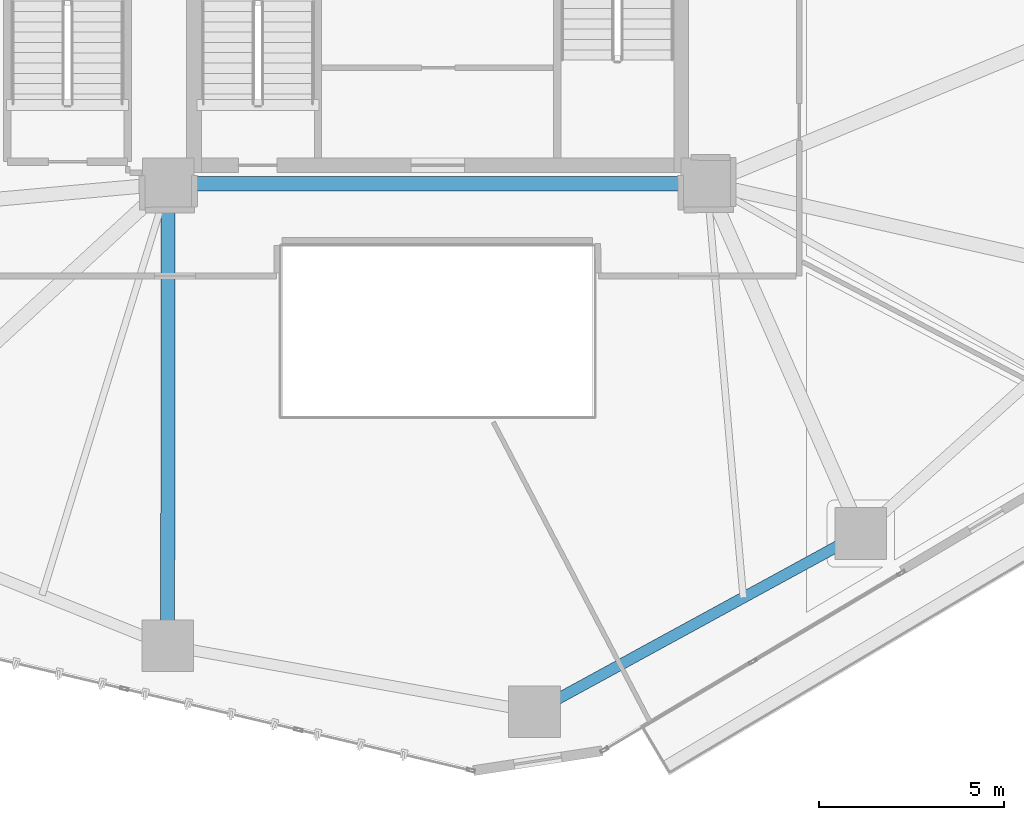
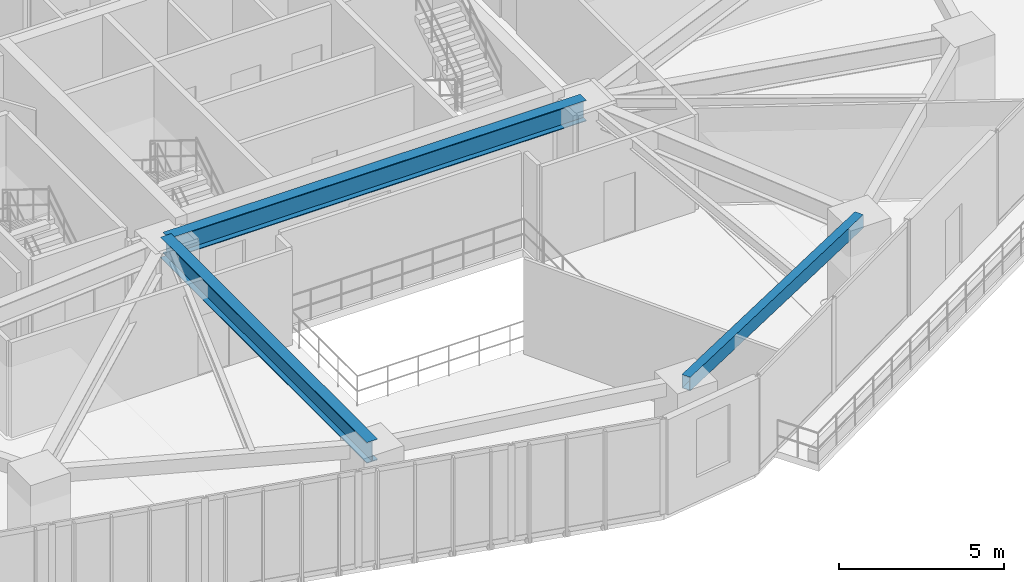
# One storey, part 5 of 23: 3 beams.
"""IFC4 building model written with IfcOpenShell, lengths in metres."""

import ifcopenshell
import ifcopenshell.guid

model = None  # the IFC model being written
_history = None  # IfcOwnerHistory: only IFC2X3 demands one
_inside = {}  # id of a spatial element -> (the spatial element, [elements in it])
_under = {}  # id of a project, library or spatial element -> (it, [spatial elements below it])
_declared = {}  # id of a project -> (the project, [libraries it declares])
_typed = {}  # id of a type object -> (the type object, [elements of that type])
_made_of = {}  # id of a material, layer set ... -> (it, [elements and type objects made of it])


def new_model(schema):
    """Start an empty IFC model of exactly this schema.

    Asked for "IFC4X3", IfcOpenShell would pick the latest addendum, in which some entities
    have other attributes; the version numbers below select the first issue.
    IFC2X3 requires an IfcOwnerHistory on every rooted entity: one is made here for all.
    """
    global model, _history
    if schema == "IFC4X3":
        model = ifcopenshell.file(schema_version=(4, 3, 0, 0))
    else:
        model = ifcopenshell.file(schema=schema)
    _inside.clear()
    _under.clear()
    _declared.clear()
    _typed.clear()
    _made_of.clear()
    _history = None
    if model.schema == "IFC2X3":
        org = make("IfcOrganization", Name="unknown")
        user = make(
            "IfcPersonAndOrganization",
            ThePerson=make("IfcPerson", FamilyName="unknown"),
            TheOrganization=org,
        )
        app = make(
            "IfcApplication",
            ApplicationDeveloper=org,
            Version="unknown",
            ApplicationFullName="unknown",
            ApplicationIdentifier="unknown",
        )
        _history = make(
            "IfcOwnerHistory",
            OwningUser=user,
            OwningApplication=app,
            ChangeAction="ADDED",
            CreationDate=0,
        )
    return model


def make(cls, **values):
    """One entity of the class cls with the attributes given. An attribute that is None is left unset."""
    return model.create_entity(
        cls, **{name: value for name, value in values.items() if value is not None}
    )


def rooted(cls, **values):
    """An entity with a GlobalId (a new one), such as an element, a storey or a relation."""
    return make(cls, GlobalId=ifcopenshell.guid.new(), OwnerHistory=_history, **values)


def si_unit(unit_type, name, prefix=None):
    """IfcSIUnit, for example si_unit("LENGTHUNIT", "METRE", prefix="MILLI")."""
    return make("IfcSIUnit", UnitType=unit_type, Prefix=prefix, Name=name)


def assignment(units):
    """IfcUnitAssignment: the units of a project."""
    return None if units is None else make("IfcUnitAssignment", Units=units)


def point(xyz):
    """IfcCartesianPoint."""
    return None if xyz is None else make("IfcCartesianPoint", Coordinates=xyz)


def direction(xyz):
    """IfcDirection."""
    return None if xyz is None else make("IfcDirection", DirectionRatios=xyz)


def frame(location, z_axis=None, x_axis=None):
    """IfcAxis2Placement3D, a coordinate frame: its origin and axes. An axis left out is left unset."""
    return make(
        "IfcAxis2Placement3D",
        Location=point(location),
        Axis=direction(z_axis),
        RefDirection=direction(x_axis),
    )


def frame_2d(location, x_axis=None):
    """IfcAxis2Placement2D, a coordinate frame in the plane: its origin and x axis."""
    return make(
        "IfcAxis2Placement2D", Location=point(location), RefDirection=direction(x_axis)
    )


def origin():
    """The frame at (0, 0, 0) with its axes left unset."""
    return frame((0.0, 0.0, 0.0))


def origin_2d():
    """The frame at (0, 0) in the plane with its x axis left unset."""
    return frame_2d((0.0, 0.0))


def place(relative_to, where):
    """IfcLocalPlacement: puts the frame where relative to a parent placement (None: the world)."""
    return make(
        "IfcLocalPlacement", PlacementRelTo=relative_to, RelativePlacement=where
    )


def context(
    kind, dimensions, precision=None, world=None, true_north=None, identifier=None
):
    """IfcGeometricRepresentationContext, for example the 3D "Model" context."""
    return make(
        "IfcGeometricRepresentationContext",
        ContextIdentifier=identifier,
        ContextType=kind,
        CoordinateSpaceDimension=dimensions,
        Precision=precision,
        WorldCoordinateSystem=world,
        TrueNorth=true_north,
    )


def subcontext(parent, identifier, kind, view, scale=None):
    """IfcGeometricRepresentationSubContext, for example "Body" below "Model"."""
    return make(
        "IfcGeometricRepresentationSubContext",
        ContextIdentifier=identifier,
        ContextType=kind,
        ParentContext=parent,
        TargetScale=scale,
        TargetView=view,
    )


def project(units=None, contexts=None):
    """IfcProject with its units and contexts."""
    return rooted(
        "IfcProject",
        Name="project",
        RepresentationContexts=contexts,
        UnitsInContext=assignment(units),
    )


def spatial(cls, under=None, at=None, **own):
    """A site, building, storey or space (cls), placed at a placement, below another one or the project."""
    s = rooted(cls, ObjectPlacement=at, **own)
    if under is not None:
        _under.setdefault(under.id(), (under, []))[1].append(s)
    return s


def profile(cls, at=None, kind="AREA", **sizes):
    """A parametric profile (cls). Its sizes go by their IFC names, for example OverallWidth=200.0."""
    return make(cls, ProfileType=kind, Position=at, **sizes)


def hollow_rectangle(**sizes):
    """IfcRectangleHollowProfileDef."""
    return profile("IfcRectangleHollowProfileDef", **sizes)


def i_section(**sizes):
    """IfcIShapeProfileDef."""
    return profile("IfcIShapeProfileDef", **sizes)


def extrude(swept, where, along, depth):
    """IfcExtrudedAreaSolid: the profile swept, set in the frame where, extruded along a direction by depth."""
    return make(
        "IfcExtrudedAreaSolid",
        SweptArea=swept,
        Position=where,
        ExtrudedDirection=direction(along),
        Depth=depth,
    )


def shape(context_of_items, identifier, shape_type, items):
    """IfcShapeRepresentation: the items that make up one representation, for example the "Body"."""
    return make(
        "IfcShapeRepresentation",
        ContextOfItems=context_of_items,
        RepresentationIdentifier=identifier,
        RepresentationType=shape_type,
        Items=items,
    )


def material(Name=None, Category=None):
    """IfcMaterial."""
    return make("IfcMaterial", Name=Name, Category=Category)


def material_profile(
    of_material, cross_section, Name=None, Category=None, Priority=None
):
    """IfcMaterialProfile: a cross section and its material."""
    return make(
        "IfcMaterialProfile",
        Name=Name,
        Material=of_material,
        Profile=cross_section,
        Priority=Priority,
        Category=Category,
    )


def profile_set(profiles, Name=None, composite=None):
    """IfcMaterialProfileSet."""
    return make(
        "IfcMaterialProfileSet",
        Name=Name,
        MaterialProfiles=profiles,
        CompositeProfile=composite,
    )


def made_of(thing, what):
    """Note that an element or type object is made of a material, layer set ...; save() writes the relation."""
    if what is not None:
        _made_of.setdefault(what.id(), (what, []))[1].append(thing)
    return thing


def type_object(cls, material=None, **own):
    """A type object (cls), such as IfcWallType, which elements share."""
    return made_of(rooted(cls, **own), material)


def element(
    cls,
    number,
    at=None,
    inside=None,
    cuts=None,
    type_object=None,
    material=None,
    context=None,
    identifier="Body",
    shape_type=None,
    held_by="IfcProductDefinitionShape",
    body=None,
    shapes=None,
    **own,
):
    """One element of the class cls, such as IfcWall. Its Tag is "e" and its number.

    at: its placement. inside: the storey or other place that contains it. cuts: it is an
    opening in that element (IfcRelVoidsElement). A single representation is given by context,
    identifier, shape_type and body (its items); several are given by shapes. held_by: the class
    of the entity that holds the representations. save() writes the other relations.
    """
    e = rooted(cls, Tag="e%d" % number, ObjectPlacement=at, **own)
    if body is not None:
        shapes = [shape(context, identifier, shape_type, body)]
    if shapes is not None:
        e.Representation = make(held_by, Representations=shapes)
    if inside is not None:
        _inside.setdefault(inside.id(), (inside, []))[1].append(e)
    if cuts is not None:
        rooted(
            "IfcRelVoidsElement", RelatingBuildingElement=cuts, RelatedOpeningElement=e
        )
    if type_object is not None:
        _typed.setdefault(type_object.id(), (type_object, []))[1].append(e)
    return made_of(e, material)


def aggregate(whole, parts):
    """IfcRelAggregates: a whole, such as a stair, and the parts it consists of."""
    return rooted("IfcRelAggregates", RelatingObject=whole, RelatedObjects=parts)


def save(model, path):
    """Write the relations noted so far, then the file.

    IfcRelAggregates (storeys below a building ...), IfcRelContainedInSpatialStructure (elements
    in a storey), IfcRelDefinesByType, IfcRelAssociatesMaterial and IfcRelDeclares: one each for
    every whole, place, type object, material and project.
    """
    for whole, parts in _under.values():
        aggregate(whole, parts)
    for where, things in _inside.values():
        rooted(
            "IfcRelContainedInSpatialStructure",
            RelatedElements=things,
            RelatingStructure=where,
        )
    for kind, things in _typed.values():
        rooted("IfcRelDefinesByType", RelatedObjects=things, RelatingType=kind)
    for what, things in _made_of.values():
        rooted("IfcRelAssociatesMaterial", RelatedObjects=things, RelatingMaterial=what)
    for by, libraries in _declared.values():
        rooted("IfcRelDeclares", RelatingContext=by, RelatedDefinitions=libraries)
    model.write(path)


model = new_model("IFC4")

# Units and contexts
model_context = context("Model", 3, precision=1e-05, world=origin(), true_north=direction((0.0, 1.0)))
body_context = subcontext(model_context, "Body", "Model", "MODEL_VIEW")
ifc_project = project(units=[si_unit("LENGTHUNIT", "METRE"), si_unit("AREAUNIT", "SQUARE_METRE"), si_unit("VOLUMEUNIT", "CUBIC_METRE"), si_unit("PLANEANGLEUNIT", "RADIAN"), si_unit("MASSUNIT", "GRAM", prefix="KILO")], contexts=[model_context])

# Site, building, storey
site_placement = place(None, origin())
site = spatial("IfcSite", under=ifc_project, at=site_placement, CompositionType="ELEMENT")
building_placement = place(site_placement, origin())
building = spatial("IfcBuilding", under=site, at=building_placement, Name="Talar Marvaseh", CompositionType="ELEMENT")
storey_placement = place(building_placement, frame((0.0, 0.0, 50.60009765625)))
storey = spatial("IfcBuildingStorey", under=building, at=storey_placement, Name="L12", CompositionType="ELEMENT", Elevation=50.60009765625)

# Beams
ifc_material = material(Name="Steel S355", Category="steel")
ifc_material_profile_1 = material_profile(ifc_material, hollow_rectangle(XDim=0.300048828125, YDim=0.5, WallThickness=0.02001953125, at=origin_2d()), Name="RHS500x300x20")
ifc_profile_set_1 = profile_set([ifc_material_profile_1], Name="Steel S355")
beam_type_1 = type_object("IfcBeamType", Name="Zone 1 Perimeter Spandrel Beam RHS500x300x20", PredefinedType="SPANDREL", material=ifc_profile_set_1)
beam_1_placement = place(storey_placement, frame((37.468017578125, 16.02099609375, 3.27001953125), z_axis=(-0.877792749602, -0.47904059196, 0.0), x_axis=(0.47904059196, -0.877792749602, 0.0)))
element("IfcBeam", 1, at=beam_1_placement, inside=storey, type_object=beam_type_1, Name="L12 Zone 1 Perimeter Spandrel Beam RHS500x300x20", PredefinedType="SPANDREL", context=body_context, shape_type="SweptSolid", body=[
    extrude(hollow_rectangle(XDim=0.300048828125, YDim=0.5, WallThickness=0.02001953125, at=origin_2d()), origin(), (0.0, 0.0, 1.0), 10.07421875),
])
ifc_material_profile_2 = material_profile(ifc_material, i_section(OverallWidth=0.381103515625, OverallDepth=0.77294921875, WebThickness=0.0166015625, FlangeThickness=0.027099609375, at=origin_2d()), Name="W760x257")
ifc_profile_set_2 = profile_set([ifc_material_profile_2], Name="Steel S355")
beam_type_2 = type_object("IfcBeamType", Name="Zone 1 Radial Floor Girder W760x257", PredefinedType="BEAM", material=ifc_profile_set_2)
beam_2_placement = place(storey_placement, frame((18.699951171875, 25.5, 3.13330078125), z_axis=(1.0, 0.0, 0.0), x_axis=(0.0, 1.0, 0.0)))
element("IfcBeam", 2, at=beam_2_placement, inside=storey, type_object=beam_type_2, Name="L12 Zone 1 Radial Floor Girder W760x257", PredefinedType="BEAM", context=body_context, shape_type="SweptSolid", body=[
    extrude(i_section(OverallWidth=0.381103515625, OverallDepth=0.77294921875, WebThickness=0.0166015625, FlangeThickness=0.027099609375, at=origin_2d()), origin(), (0.0, 0.0, 1.0), 14.60009765625),
])
beam_3_placement = place(storey_placement, frame((18.68310546875, 12.97900390625, 3.13330078125), z_axis=(0.001345395187, 0.999999094955, 0.0), x_axis=(-0.999999094955, 0.001345395187, 0.0)))
element("IfcBeam", 3, at=beam_3_placement, inside=storey, type_object=beam_type_2, Name="L12 Zone 1 Radial Floor Girder W760x257", PredefinedType="BEAM", context=body_context, shape_type="SweptSolid", body=[
    extrude(i_section(OverallWidth=0.381103515625, OverallDepth=0.77294921875, WebThickness=0.0166015625, FlangeThickness=0.027099609375, at=origin_2d()), origin(), (0.0, 0.0, 1.0), 12.52099609375),
])

save(model, "model.ifc")
